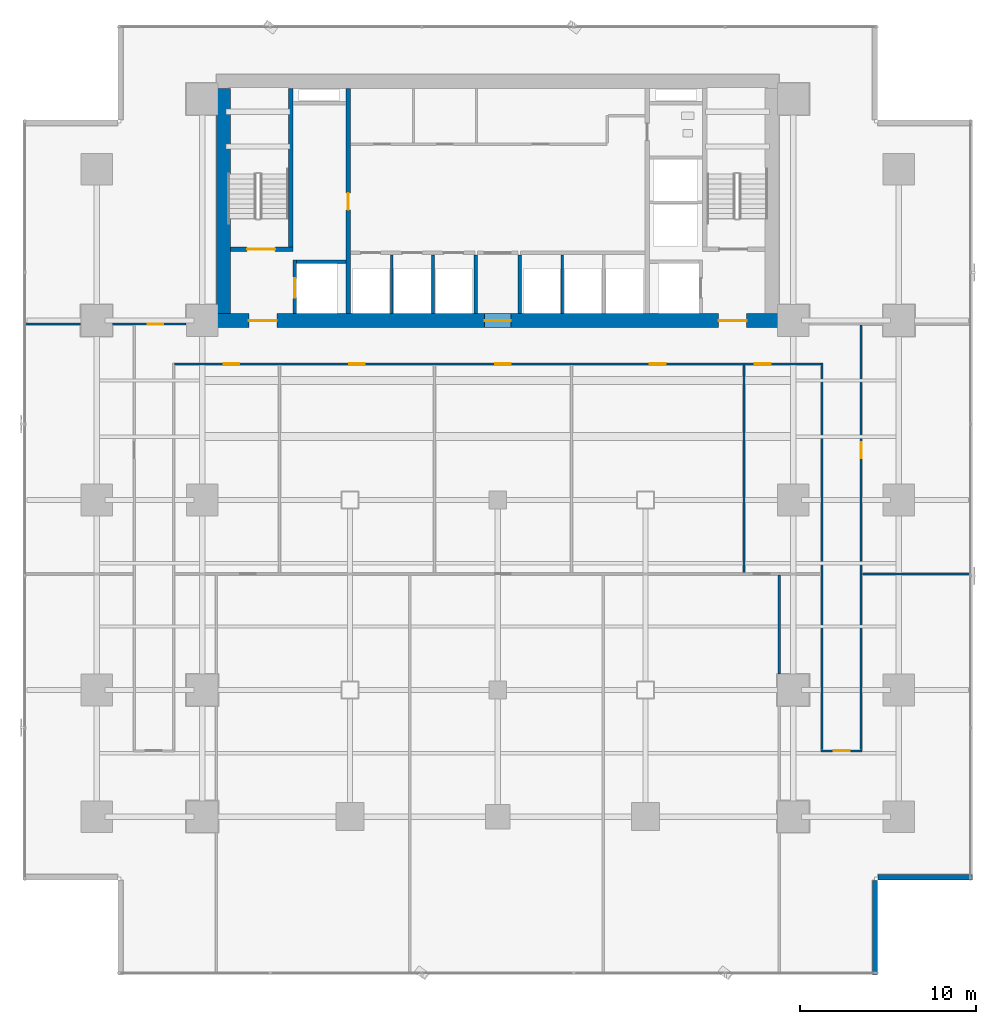
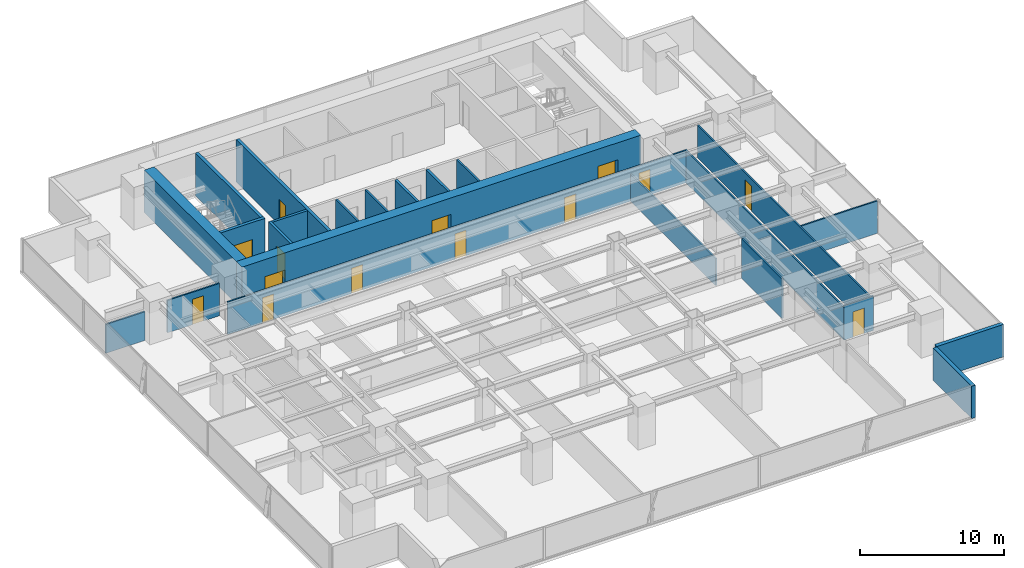
# One storey, part 25 of 33: 23 walls, 14 doors, 14 openings.
"""IFC4 building model written with IfcOpenShell, lengths in metres."""

import ifcopenshell
import ifcopenshell.guid

model = None  # the IFC model being written
_history = None  # IfcOwnerHistory: only IFC2X3 demands one
_inside = {}  # id of a spatial element -> (the spatial element, [elements in it])
_under = {}  # id of a project, library or spatial element -> (it, [spatial elements below it])
_declared = {}  # id of a project -> (the project, [libraries it declares])
_typed = {}  # id of a type object -> (the type object, [elements of that type])
_made_of = {}  # id of a material, layer set ... -> (it, [elements and type objects made of it])


def new_model(schema):
    """Start an empty IFC model of exactly this schema.

    Asked for "IFC4X3", IfcOpenShell would pick the latest addendum, in which some entities
    have other attributes; the version numbers below select the first issue.
    IFC2X3 requires an IfcOwnerHistory on every rooted entity: one is made here for all.
    """
    global model, _history
    if schema == "IFC4X3":
        model = ifcopenshell.file(schema_version=(4, 3, 0, 0))
    else:
        model = ifcopenshell.file(schema=schema)
    _inside.clear()
    _under.clear()
    _declared.clear()
    _typed.clear()
    _made_of.clear()
    _history = None
    if model.schema == "IFC2X3":
        org = make("IfcOrganization", Name="unknown")
        user = make(
            "IfcPersonAndOrganization",
            ThePerson=make("IfcPerson", FamilyName="unknown"),
            TheOrganization=org,
        )
        app = make(
            "IfcApplication",
            ApplicationDeveloper=org,
            Version="unknown",
            ApplicationFullName="unknown",
            ApplicationIdentifier="unknown",
        )
        _history = make(
            "IfcOwnerHistory",
            OwningUser=user,
            OwningApplication=app,
            ChangeAction="ADDED",
            CreationDate=0,
        )
    return model


def make(cls, **values):
    """One entity of the class cls with the attributes given. An attribute that is None is left unset."""
    return model.create_entity(
        cls, **{name: value for name, value in values.items() if value is not None}
    )


def rooted(cls, **values):
    """An entity with a GlobalId (a new one), such as an element, a storey or a relation."""
    return make(cls, GlobalId=ifcopenshell.guid.new(), OwnerHistory=_history, **values)


def si_unit(unit_type, name, prefix=None):
    """IfcSIUnit, for example si_unit("LENGTHUNIT", "METRE", prefix="MILLI")."""
    return make("IfcSIUnit", UnitType=unit_type, Prefix=prefix, Name=name)


def assignment(units):
    """IfcUnitAssignment: the units of a project."""
    return None if units is None else make("IfcUnitAssignment", Units=units)


def point(xyz):
    """IfcCartesianPoint."""
    return None if xyz is None else make("IfcCartesianPoint", Coordinates=xyz)


def direction(xyz):
    """IfcDirection."""
    return None if xyz is None else make("IfcDirection", DirectionRatios=xyz)


def frame(location, z_axis=None, x_axis=None):
    """IfcAxis2Placement3D, a coordinate frame: its origin and axes. An axis left out is left unset."""
    return make(
        "IfcAxis2Placement3D",
        Location=point(location),
        Axis=direction(z_axis),
        RefDirection=direction(x_axis),
    )


def frame_2d(location, x_axis=None):
    """IfcAxis2Placement2D, a coordinate frame in the plane: its origin and x axis."""
    return make(
        "IfcAxis2Placement2D", Location=point(location), RefDirection=direction(x_axis)
    )


def origin():
    """The frame at (0, 0, 0) with its axes left unset."""
    return frame((0.0, 0.0, 0.0))


def place(relative_to, where):
    """IfcLocalPlacement: puts the frame where relative to a parent placement (None: the world)."""
    return make(
        "IfcLocalPlacement", PlacementRelTo=relative_to, RelativePlacement=where
    )


def context(
    kind, dimensions, precision=None, world=None, true_north=None, identifier=None
):
    """IfcGeometricRepresentationContext, for example the 3D "Model" context."""
    return make(
        "IfcGeometricRepresentationContext",
        ContextIdentifier=identifier,
        ContextType=kind,
        CoordinateSpaceDimension=dimensions,
        Precision=precision,
        WorldCoordinateSystem=world,
        TrueNorth=true_north,
    )


def subcontext(parent, identifier, kind, view, scale=None):
    """IfcGeometricRepresentationSubContext, for example "Body" below "Model"."""
    return make(
        "IfcGeometricRepresentationSubContext",
        ContextIdentifier=identifier,
        ContextType=kind,
        ParentContext=parent,
        TargetScale=scale,
        TargetView=view,
    )


def project(units=None, contexts=None):
    """IfcProject with its units and contexts."""
    return rooted(
        "IfcProject",
        Name="project",
        RepresentationContexts=contexts,
        UnitsInContext=assignment(units),
    )


def spatial(cls, under=None, at=None, **own):
    """A site, building, storey or space (cls), placed at a placement, below another one or the project."""
    s = rooted(cls, ObjectPlacement=at, **own)
    if under is not None:
        _under.setdefault(under.id(), (under, []))[1].append(s)
    return s


def profile(cls, at=None, kind="AREA", **sizes):
    """A parametric profile (cls). Its sizes go by their IFC names, for example OverallWidth=200.0."""
    return make(cls, ProfileType=kind, Position=at, **sizes)


def rectangle(**sizes):
    """IfcRectangleProfileDef."""
    return profile("IfcRectangleProfileDef", **sizes)


def extrude(swept, where, along, depth):
    """IfcExtrudedAreaSolid: the profile swept, set in the frame where, extruded along a direction by depth."""
    return make(
        "IfcExtrudedAreaSolid",
        SweptArea=swept,
        Position=where,
        ExtrudedDirection=direction(along),
        Depth=depth,
    )


def shape(context_of_items, identifier, shape_type, items):
    """IfcShapeRepresentation: the items that make up one representation, for example the "Body"."""
    return make(
        "IfcShapeRepresentation",
        ContextOfItems=context_of_items,
        RepresentationIdentifier=identifier,
        RepresentationType=shape_type,
        Items=items,
    )


def source(mapping_origin, context_of_items, identifier, shape_type, items):
    """IfcRepresentationMap: a shape defined once, which mapped items show again and again."""
    return make(
        "IfcRepresentationMap",
        MappingOrigin=mapping_origin,
        MappedRepresentation=shape(context_of_items, identifier, shape_type, items),
    )


def transform(
    local_origin,
    x_axis=None,
    y_axis=None,
    z_axis=None,
    scale=None,
    scale2=None,
    scale3=None,
    uniform=True,
):
    """IfcCartesianTransformationOperator3D, or its non-uniform kind. x_axis, y_axis, z_axis: its Axis1, 2, 3."""
    if uniform:
        return make(
            "IfcCartesianTransformationOperator3D",
            Axis1=direction(x_axis),
            Axis2=direction(y_axis),
            LocalOrigin=point(local_origin),
            Scale=scale,
            Axis3=direction(z_axis),
        )
    return make(
        "IfcCartesianTransformationOperator3DnonUniform",
        Axis1=direction(x_axis),
        Axis2=direction(y_axis),
        LocalOrigin=point(local_origin),
        Scale=scale,
        Axis3=direction(z_axis),
        Scale2=scale2,
        Scale3=scale3,
    )


def mapped(mapping_source, mapping_target):
    """IfcMappedItem: shows the shape of a source again, moved by a transform."""
    return make(
        "IfcMappedItem", MappingSource=mapping_source, MappingTarget=mapping_target
    )


def material(Name=None, Category=None):
    """IfcMaterial."""
    return make("IfcMaterial", Name=Name, Category=Category)


def layer(
    of_material, thickness, ventilated=None, Name=None, Category=None, Priority=None
):
    """IfcMaterialLayer: one layer of a wall or slab, of a material (None: an air gap)."""
    return make(
        "IfcMaterialLayer",
        Material=of_material,
        LayerThickness=thickness,
        IsVentilated=ventilated,
        Name=Name,
        Category=Category,
        Priority=Priority,
    )


def layer_set(layers, Name=None):
    """IfcMaterialLayerSet."""
    return make("IfcMaterialLayerSet", MaterialLayers=layers, LayerSetName=Name)


def made_of(thing, what):
    """Note that an element or type object is made of a material, layer set ...; save() writes the relation."""
    if what is not None:
        _made_of.setdefault(what.id(), (what, []))[1].append(thing)
    return thing


def type_object(cls, material=None, **own):
    """A type object (cls), such as IfcWallType, which elements share."""
    return made_of(rooted(cls, **own), material)


def element(
    cls,
    number,
    at=None,
    inside=None,
    cuts=None,
    type_object=None,
    material=None,
    context=None,
    identifier="Body",
    shape_type=None,
    held_by="IfcProductDefinitionShape",
    body=None,
    shapes=None,
    **own,
):
    """One element of the class cls, such as IfcWall. Its Tag is "e" and its number.

    at: its placement. inside: the storey or other place that contains it. cuts: it is an
    opening in that element (IfcRelVoidsElement). A single representation is given by context,
    identifier, shape_type and body (its items); several are given by shapes. held_by: the class
    of the entity that holds the representations. save() writes the other relations.
    """
    e = rooted(cls, Tag="e%d" % number, ObjectPlacement=at, **own)
    if body is not None:
        shapes = [shape(context, identifier, shape_type, body)]
    if shapes is not None:
        e.Representation = make(held_by, Representations=shapes)
    if inside is not None:
        _inside.setdefault(inside.id(), (inside, []))[1].append(e)
    if cuts is not None:
        rooted(
            "IfcRelVoidsElement", RelatingBuildingElement=cuts, RelatedOpeningElement=e
        )
    if type_object is not None:
        _typed.setdefault(type_object.id(), (type_object, []))[1].append(e)
    return made_of(e, material)


def fill(opening, filler):
    """IfcRelFillsElement: the door or window that sits in an opening."""
    return rooted(
        "IfcRelFillsElement",
        RelatingOpeningElement=opening,
        RelatedBuildingElement=filler,
    )


def aggregate(whole, parts):
    """IfcRelAggregates: a whole, such as a stair, and the parts it consists of."""
    return rooted("IfcRelAggregates", RelatingObject=whole, RelatedObjects=parts)


def save(model, path):
    """Write the relations noted so far, then the file.

    IfcRelAggregates (storeys below a building ...), IfcRelContainedInSpatialStructure (elements
    in a storey), IfcRelDefinesByType, IfcRelAssociatesMaterial and IfcRelDeclares: one each for
    every whole, place, type object, material and project.
    """
    for whole, parts in _under.values():
        aggregate(whole, parts)
    for where, things in _inside.values():
        rooted(
            "IfcRelContainedInSpatialStructure",
            RelatedElements=things,
            RelatingStructure=where,
        )
    for kind, things in _typed.values():
        rooted("IfcRelDefinesByType", RelatedObjects=things, RelatingType=kind)
    for what, things in _made_of.values():
        rooted("IfcRelAssociatesMaterial", RelatedObjects=things, RelatingMaterial=what)
    for by, libraries in _declared.values():
        rooted("IfcRelDeclares", RelatingContext=by, RelatedDefinitions=libraries)
    model.write(path)


model = new_model("IFC4")

# Units and contexts
model_context = context("Model", 3, precision=1e-05, world=origin(), true_north=direction((0.0, 1.0)))
body_context = subcontext(model_context, "Body", "Model", "MODEL_VIEW")
ifc_project = project(units=[si_unit("LENGTHUNIT", "METRE"), si_unit("AREAUNIT", "SQUARE_METRE"), si_unit("VOLUMEUNIT", "CUBIC_METRE"), si_unit("PLANEANGLEUNIT", "RADIAN"), si_unit("MASSUNIT", "GRAM", prefix="KILO")], contexts=[model_context])

# Site, building, storey
site_placement = place(None, origin())
site = spatial("IfcSite", under=ifc_project, at=site_placement, CompositionType="ELEMENT")
building_placement = place(site_placement, origin())
building = spatial("IfcBuilding", under=site, at=building_placement, Name="Sumidabori Civic Tower", CompositionType="ELEMENT")
storey_placement = place(building_placement, frame((0.0, 0.0, 27.199951171875)))
storey = spatial("IfcBuildingStorey", under=building, at=storey_placement, Name="L06", CompositionType="ELEMENT", Elevation=27.199951171875)

# Wall, openings, doors
ifc_material_1 = material(Name="Concrete C60/75", Category="concrete")
ifc_layer_1 = layer(ifc_material_1, 0.800048828125, Name="Concrete C60/75")
ifc_layer_set_1 = layer_set([ifc_layer_1], Name="Concrete C60/75")
wall_type_1 = type_object("IfcWallType", Name="WL-CORE-800", PredefinedType="SHEAR", material=ifc_layer_set_1)
shared_shape_1 = source(origin(), body_context, "Body", "SweptSolid", [
    extrude(rectangle(XDim=32.0, YDim=0.800048828125, at=frame_2d((16.0, 0.0))), origin(), (0.0, 0.0, 1.0), 3.60009765625),
])
wall_1_placement = place(storey_placement, frame((-16.0, 10.199951171875, 0.0), z_axis=(0.0, 0.0, 1.0), x_axis=(1.0, 0.0, 0.0)))
wall_1 = element("IfcWall", 1, at=wall_1_placement, inside=storey, type_object=wall_type_1, Name="Core Shear Wall L06 S", PredefinedType="SHEAR", context=body_context, shape_type="MappedRepresentation", body=[
    mapped(shared_shape_1, transform((0.0, 0.0, 0.0), x_axis=(1.0, 0.0, 0.0), y_axis=(0.0, 1.0, 0.0), z_axis=(0.0, 0.0, 1.0), scale=1.0)),
])
opening_1_placement = place(wall_1_placement, frame((1.85009765625, 0.0, 0.0)))
opening_1 = element("IfcOpeningElement", 2, at=opening_1_placement, cuts=wall_1, Name="Opening DR-FD4", PredefinedType="OPENING", context=body_context, shape_type="SweptSolid", body=[
    extrude(rectangle(XDim=1.60009765625, YDim=2.14990234375, at=frame_2d((0.800048828125, 1.074951171875))), frame((0.0, 0.412109375, 0.0), z_axis=(0.0, -1.0, 0.0), x_axis=(1.0, 0.0, 0.0)), (0.0, 0.0, 1.0), 0.823974609375),
])
opening_2_placement = place(wall_1_placement, frame((28.550048828125, 0.0, 0.0)))
opening_2 = element("IfcOpeningElement", 3, at=opening_2_placement, cuts=wall_1, Name="Opening DR-FD4", PredefinedType="OPENING", context=body_context, shape_type="SweptSolid", body=[
    extrude(rectangle(XDim=1.60009765625, YDim=2.14990234375, at=frame_2d((0.800048828125, 1.074951171875))), frame((0.0, 0.412109375, 0.0), z_axis=(0.0, -1.0, 0.0), x_axis=(1.0, 0.0, 0.0)), (0.0, 0.0, 1.0), 0.823974609375),
])
opening_3_placement = place(wall_1_placement, frame((15.25, 0.0, 0.0)))
opening_3 = element("IfcOpeningElement", 4, at=opening_3_placement, cuts=wall_1, Name="Opening DR-FD3", PredefinedType="OPENING", context=body_context, shape_type="SweptSolid", body=[
    extrude(rectangle(XDim=1.5, YDim=2.199951171875, at=frame_2d((0.75, 1.10009765625))), frame((0.0, 0.412109375, 0.0), z_axis=(0.0, -1.0, 0.0), x_axis=(1.0, 0.0, 0.0)), (0.0, 0.0, 1.0), 0.823974609375),
])
ifc_material_2 = material(Name="Steel SN490", Category="steel")
door_type_1 = type_object("IfcDoorType", Name="DR-FD4", OperationType="DOUBLE_DOOR_SINGLE_SWING", PredefinedType="DOOR", material=ifc_material_2)
shared_shape_2 = source(origin(), body_context, "Body", "SweptSolid", [
    extrude(rectangle(XDim=1.60009765625, YDim=2.14990234375, at=frame_2d((0.800048828125, 1.074951171875))), frame((0.0, 0.02490234375, 0.0), z_axis=(0.0, -1.0, 0.0), x_axis=(1.0, 0.0, 0.0)), (0.0, 0.0, 1.0), 0.050048828125),
])
door_1_placement = place(opening_1_placement, origin())
door_1 = element("IfcDoor", 5, at=door_1_placement, inside=storey, type_object=door_type_1, Name="Door DR:L06:ELOB-W", OperationType="DOUBLE_DOOR_SINGLE_SWING", OverallHeight=2.14990234375, OverallWidth=1.60009765625, PredefinedType="DOOR", context=body_context, shape_type="MappedRepresentation", body=[
    mapped(shared_shape_2, transform((0.0, 0.0, 0.0), x_axis=(1.0, 0.0, 0.0), y_axis=(0.0, 1.0, 0.0), z_axis=(0.0, 0.0, 1.0), scale=1.0)),
])
fill(opening_1, door_1)
door_2_placement = place(opening_2_placement, origin())
door_2 = element("IfcDoor", 6, at=door_2_placement, inside=storey, type_object=door_type_1, Name="Door DR:L06:ELOB-E", OperationType="DOUBLE_DOOR_SINGLE_SWING", OverallHeight=2.14990234375, OverallWidth=1.60009765625, PredefinedType="DOOR", context=body_context, shape_type="MappedRepresentation", body=[
    mapped(shared_shape_2, transform((0.0, 0.0, 0.0), x_axis=(1.0, 0.0, 0.0), y_axis=(0.0, 1.0, 0.0), z_axis=(0.0, 0.0, 1.0), scale=1.0)),
])
fill(opening_2, door_2)
door_type_2 = type_object("IfcDoorType", Name="DR-FD-DBL", OperationType="DOUBLE_DOOR_SINGLE_SWING", PredefinedType="DOOR", material=ifc_material_2)
shared_shape_3 = source(origin(), body_context, "Body", "SweptSolid", [
    extrude(rectangle(XDim=1.5, YDim=2.199951171875, at=frame_2d((0.75, 1.10009765625))), frame((0.0, 0.02490234375, 0.0), z_axis=(0.0, -1.0, 0.0), x_axis=(1.0, 0.0, 0.0)), (0.0, 0.0, 1.0), 0.050048828125),
])
door_3_placement = place(opening_3_placement, origin())
door_3 = element("IfcDoor", 7, at=door_3_placement, inside=storey, type_object=door_type_2, Name="Door DR:L06:THROAT-OUT", OperationType="DOUBLE_DOOR_SINGLE_SWING", OverallHeight=2.199951171875, OverallWidth=1.5, PredefinedType="DOOR", context=body_context, shape_type="MappedRepresentation", body=[
    mapped(shared_shape_3, transform((0.0, 0.0, 0.0), x_axis=(1.0, 0.0, 0.0), y_axis=(0.0, 1.0, 0.0), z_axis=(0.0, 0.0, 1.0), scale=1.0)),
])
fill(opening_3, door_3)

# Wall
shared_shape_4 = source(origin(), body_context, "Body", "SweptSolid", [
    extrude(rectangle(XDim=12.7998046875, YDim=0.800048828125, at=frame_2d((6.39990234375, 0.0))), origin(), (0.0, 0.0, 1.0), 3.60009765625),
])
wall_2_placement = place(storey_placement, frame((-15.60009765625, 10.60009765625, 0.0), z_axis=(0.0, 0.0, 1.0), x_axis=(0.0, 1.0, 0.0)))
element("IfcWall", 8, at=wall_2_placement, inside=storey, type_object=wall_type_1, Name="Core Shear Wall L06 W", PredefinedType="SHEAR", context=body_context, shape_type="MappedRepresentation", body=[
    mapped(shared_shape_4, transform((0.0, 0.0, 0.0), x_axis=(1.0, 0.0, 0.0), y_axis=(0.0, 1.0, 0.0), z_axis=(0.0, 0.0, 1.0), scale=1.0)),
])

# Wall, opening, door
ifc_material_3 = material(Name="Concrete C50/60", Category="concrete")
ifc_layer_2 = layer(ifc_material_3, 0.25, Name="Concrete C50/60")
ifc_layer_set_2 = layer_set([ifc_layer_2], Name="Concrete C50/60")
wall_type_2 = type_object("IfcWallType", Name="WL-SHAFT-250", PredefinedType="SHEAR", material=ifc_layer_set_2)
shared_shape_5 = source(origin(), body_context, "Body", "SweptSolid", [
    extrude(rectangle(XDim=12.7998046875, YDim=0.25, at=frame_2d((6.39990234375, 0.0))), origin(), (0.0, 0.0, 1.0), 3.60009765625),
])
wall_3_placement = place(storey_placement, frame((-8.5, 10.60009765625, 0.0), z_axis=(0.0, 0.0, 1.0), x_axis=(0.0, 1.0, 0.0)))
wall_3 = element("IfcWall", 9, at=wall_3_placement, inside=storey, type_object=wall_type_2, Name="Core Shear Wall L06 WEB-W", PredefinedType="SHEAR", context=body_context, shape_type="MappedRepresentation", body=[
    mapped(shared_shape_5, transform((0.0, 0.0, 0.0), x_axis=(1.0, 0.0, 0.0), y_axis=(0.0, 1.0, 0.0), z_axis=(0.0, 0.0, 1.0), scale=1.0)),
])
opening_4_placement = place(wall_3_placement, frame((5.89990234375, 0.0, 0.0)))
opening_4 = element("IfcOpeningElement", 10, at=opening_4_placement, cuts=wall_3, Name="Opening DR-FD2", PredefinedType="OPENING", context=body_context, shape_type="SweptSolid", body=[
    extrude(rectangle(XDim=0.949951171875, YDim=2.14990234375, at=frame_2d((0.47509765625, 1.074951171875))), frame((0.0, 0.136962890625, 0.0), z_axis=(0.0, -1.0, 0.0), x_axis=(1.0, 0.0, 0.0)), (0.0, 0.0, 1.0), 0.27392578125),
])
door_type_3 = type_object("IfcDoorType", Name="DR-FD2", OperationType="NOTDEFINED", PredefinedType="DOOR", material=ifc_material_2)
shared_shape_6 = source(origin(), body_context, "Body", "SweptSolid", [
    extrude(rectangle(XDim=0.949951171875, YDim=2.14990234375, at=frame_2d((0.47509765625, 1.074951171875))), frame((0.0, 0.02490234375, 0.0), z_axis=(0.0, -1.0, 0.0), x_axis=(1.0, 0.0, 0.0)), (0.0, 0.0, 1.0), 0.050048828125),
])
door_4_placement = place(opening_4_placement, origin())
door_4 = element("IfcDoor", 11, at=door_4_placement, inside=storey, type_object=door_type_3, Name="Door DR:L06:CW-STR", OperationType="SINGLE_SWING_LEFT", OverallHeight=2.14990234375, OverallWidth=0.949951171875, PredefinedType="DOOR", context=body_context, shape_type="MappedRepresentation", body=[
    mapped(shared_shape_6, transform((0.0, 0.0, 0.0), x_axis=(1.0, 0.0, 0.0), y_axis=(0.0, 1.0, 0.0), z_axis=(0.0, 0.0, 1.0), scale=1.0)),
])
fill(opening_4, door_4)

shared_shape_7 = source(origin(), body_context, "Body", "SweptSolid", [
    extrude(rectangle(XDim=3.554931640625, YDim=0.25, at=frame_2d((1.77734375, 0.0))), origin(), (0.0, 0.0, 1.0), 3.60009765625),
])
wall_4_placement = place(storey_placement, frame((-15.199951171875, 14.25, 0.0), z_axis=(0.0, 0.0, 1.0), x_axis=(1.0, 0.0, 0.0)))
wall_4 = element("IfcWall", 12, at=wall_4_placement, inside=storey, type_object=wall_type_2, Name="Core Shear Wall L06 ST1-S", PredefinedType="SHEAR", context=body_context, shape_type="MappedRepresentation", body=[
    mapped(shared_shape_7, transform((0.0, 0.0, 0.0), x_axis=(1.0, 0.0, 0.0), y_axis=(0.0, 1.0, 0.0), z_axis=(0.0, 0.0, 1.0), scale=1.0)),
])
opening_5_placement = place(wall_4_placement, frame((0.949951171875, 0.0, 0.0)))
opening_5 = element("IfcOpeningElement", 13, at=opening_5_placement, cuts=wall_4, Name="Opening DR-FD4", PredefinedType="OPENING", context=body_context, shape_type="SweptSolid", body=[
    extrude(rectangle(XDim=1.60009765625, YDim=2.14990234375, at=frame_2d((0.800048828125, 1.074951171875))), frame((0.0, 0.136962890625, 0.0), z_axis=(0.0, -1.0, 0.0), x_axis=(1.0, 0.0, 0.0)), (0.0, 0.0, 1.0), 0.27392578125),
])
door_5_placement = place(opening_5_placement, origin())
door_5 = element("IfcDoor", 14, at=door_5_placement, inside=storey, type_object=door_type_1, Name="Door DR:L06:ST1", OperationType="DOUBLE_DOOR_SINGLE_SWING", OverallHeight=2.14990234375, OverallWidth=1.60009765625, PredefinedType="DOOR", context=body_context, shape_type="MappedRepresentation", body=[
    mapped(shared_shape_2, transform((0.0, 0.0, 0.0), x_axis=(1.0, 0.0, 0.0), y_axis=(0.0, 1.0, 0.0), z_axis=(0.0, 0.0, 1.0), scale=1.0)),
])
fill(opening_5, door_5)

# Wall
shared_shape_8 = source(origin(), body_context, "Body", "SweptSolid", [
    extrude(rectangle(XDim=9.02490234375, YDim=0.25, at=frame_2d((4.512451171875, 0.0))), origin(), (0.0, 0.0, 1.0), 3.60009765625),
])
wall_5_placement = place(storey_placement, frame((-11.77001953125, 14.375, 0.0), z_axis=(0.0, 0.0, 1.0), x_axis=(0.0, 1.0, 0.0)))
element("IfcWall", 15, at=wall_5_placement, inside=storey, type_object=wall_type_2, Name="Core Shear Wall L06 ST1-E", PredefinedType="SHEAR", context=body_context, shape_type="MappedRepresentation", body=[
    mapped(shared_shape_8, transform((0.0, 0.0, 0.0), x_axis=(1.0, 0.0, 0.0), y_axis=(0.0, 1.0, 0.0), z_axis=(0.0, 0.0, 1.0), scale=1.0)),
])

# Wall, opening, door
ifc_layer_3 = layer(ifc_material_3, 0.199951171875, Name="Concrete C50/60")
ifc_layer_set_3 = layer_set([ifc_layer_3], Name="Concrete C50/60")
wall_type_3 = type_object("IfcWallType", Name="WL-SHAFT-200", PredefinedType="SHEAR", material=ifc_layer_set_3)
shared_shape_9 = source(origin(), body_context, "Body", "SweptSolid", [
    extrude(rectangle(XDim=3.0498046875, YDim=0.199951171875, at=frame_2d((1.52490234375, 0.0))), origin(), (0.0, 0.0, 1.0), 3.60009765625),
])
wall_6_placement = place(storey_placement, frame((-11.550048828125, 10.60009765625, 0.0), z_axis=(0.0, 0.0, 1.0), x_axis=(0.0, 1.0, 0.0)))
wall_6 = element("IfcWall", 16, at=wall_6_placement, inside=storey, type_object=wall_type_3, Name="Core Shear Wall L06 EL1-W", PredefinedType="SHEAR", context=body_context, shape_type="MappedRepresentation", body=[
    mapped(shared_shape_9, transform((0.0, 0.0, 0.0), x_axis=(1.0, 0.0, 0.0), y_axis=(0.0, 1.0, 0.0), z_axis=(0.0, 0.0, 1.0), scale=1.0)),
])
opening_6_placement = place(wall_6_placement, frame((0.89990234375, 0.0, 0.0)))
opening_6 = element("IfcOpeningElement", 17, at=opening_6_placement, cuts=wall_6, Name="Opening LD-2", PredefinedType="OPENING", context=body_context, shape_type="SweptSolid", body=[
    extrude(rectangle(XDim=1.10009765625, YDim=2.14990234375, at=frame_2d((0.550048828125, 1.074951171875))), frame((0.0, 0.11181640625, 0.0), z_axis=(0.0, -1.0, 0.0), x_axis=(1.0, 0.0, 0.0)), (0.0, 0.0, 1.0), 0.223876953125),
])
ifc_material_4 = material(Name="Stainless Steel Hairline Finish", Category="steel")
door_type_4 = type_object("IfcDoorType", Name="DR-LD2", OperationType="DOUBLE_DOOR_SLIDING", PredefinedType="DOOR", material=ifc_material_4)
shared_shape_10 = source(origin(), body_context, "Body", "SweptSolid", [
    extrude(rectangle(XDim=1.10009765625, YDim=2.14990234375, at=frame_2d((0.550048828125, 1.074951171875))), frame((0.0, 0.02490234375, 0.0), z_axis=(0.0, -1.0, 0.0), x_axis=(1.0, 0.0, 0.0)), (0.0, 0.0, 1.0), 0.050048828125),
])
door_6_placement = place(opening_6_placement, origin())
door_6 = element("IfcDoor", 18, at=door_6_placement, inside=storey, type_object=door_type_4, Name="Door DR:L06:LD-EL1", OperationType="DOUBLE_DOOR_SLIDING", OverallHeight=2.14990234375, OverallWidth=1.10009765625, PredefinedType="DOOR", context=body_context, shape_type="MappedRepresentation", body=[
    mapped(shared_shape_10, transform((0.0, 0.0, 0.0), x_axis=(1.0, 0.0, 0.0), y_axis=(0.0, 1.0, 0.0), z_axis=(0.0, 0.0, 1.0), scale=1.0)),
])
fill(opening_6, door_6)

# Walls
shared_shape_11 = source(origin(), body_context, "Body", "SweptSolid", [
    extrude(rectangle(XDim=2.824951171875, YDim=0.199951171875, at=frame_2d((1.41259765625, 0.0))), origin(), (0.0, 0.0, 1.0), 3.60009765625),
])
wall_7_placement = place(storey_placement, frame((-11.449951171875, 13.550048828125, 0.0), z_axis=(0.0, 0.0, 1.0), x_axis=(1.0, 0.0, 0.0)))
element("IfcWall", 19, at=wall_7_placement, inside=storey, type_object=wall_type_3, Name="Core Shear Wall L06 EL1-N", PredefinedType="SHEAR", context=body_context, shape_type="MappedRepresentation", body=[
    mapped(shared_shape_11, transform((0.0, 0.0, 0.0), x_axis=(1.0, 0.0, 0.0), y_axis=(0.0, 1.0, 0.0), z_axis=(0.0, 0.0, 1.0), scale=1.0)),
])
ifc_material_5 = material(Name="Precast concrete C40/50", Category="concrete")
ifc_layer_4 = layer(ifc_material_5, 0.300048828125, Name="Precast concrete C40/50")
ifc_layer_set_4 = layer_set([ifc_layer_4], Name="Precast concrete C40/50")
wall_type_4 = type_object("IfcWallType", Name="WL-EXT-POD300", PredefinedType="STANDARD", material=ifc_layer_set_4)
shared_shape_12 = source(origin(), body_context, "Body", "SweptSolid", [
    extrude(rectangle(XDim=5.35986328125, YDim=0.300048828125, at=frame_2d((2.679931640625, 0.0))), origin(), (0.0, 0.0, 1.0), 2.739990234375),
])
for number, where, z_axis, x_axis, name in (
    (20, (21.449951171875, -26.97998046875, 0.0), (0.0, 0.0, 1.0), (0.0, 1.0, 0.0), "Notched Corner Spandrel Band L06-02"),
    (21, (21.6201171875, -21.449951171875, 0.0), (0.0, 0.0, 1.0), (1.0, 0.0, 0.0), "Notched Corner Spandrel Band L06-03"),
):
    element("IfcWall", number, at=place(storey_placement, frame(where, z_axis=z_axis, x_axis=x_axis)), inside=storey, type_object=wall_type_4, Name=name, PredefinedType="STANDARD", context=body_context, shape_type="MappedRepresentation", body=[
        mapped(shared_shape_12, transform((0.0, 0.0, 0.0), x_axis=(1.0, 0.0, 0.0), y_axis=(0.0, 1.0, 0.0), z_axis=(0.0, 0.0, 1.0), scale=1.0)),
    ])
ifc_material_6 = material(Name="Gypsum Plasterboard Fire Partition")
ifc_layer_5 = layer(ifc_material_6, 0.199951171875, Name="Gypsum Plasterboard Fire Partition")
ifc_layer_set_5 = layer_set([ifc_layer_5], Name="Gypsum Plasterboard Fire Partition")
wall_type_5 = type_object("IfcWallType", Name="WL-PART-FIRE", PredefinedType="PARTITIONING", material=ifc_layer_set_5)
shared_shape_13 = source(origin(), body_context, "Body", "SweptSolid", [
    extrude(rectangle(XDim=3.33984375, YDim=0.199951171875, at=frame_2d((1.669921875, 0.0))), origin(), (0.0, 0.0, 1.0), 3.360107421875),
])
for number, where, z_axis, x_axis, name in (
    (22, (-1.25, 10.60009765625, 0.0), (0.0, 0.0, 1.0), (0.0, 1.0, 0.0), "Interior Partition WL:L06:THROAT-W"),
    (23, (1.25, 10.60009765625, 0.0), (0.0, 0.0, 1.0), (0.0, 1.0, 0.0), "Interior Partition WL:L06:THROAT-E"),
):
    element("IfcWall", number, at=place(storey_placement, frame(where, z_axis=z_axis, x_axis=x_axis)), inside=storey, type_object=wall_type_5, Name=name, PredefinedType="PARTITIONING", context=body_context, shape_type="MappedRepresentation", body=[
        mapped(shared_shape_13, transform((0.0, 0.0, 0.0), x_axis=(1.0, 0.0, 0.0), y_axis=(0.0, 1.0, 0.0), z_axis=(0.0, 0.0, 1.0), scale=1.0)),
    ])
ifc_material_7 = material(Name="Gypsum Plasterboard Acoustic Partition")
ifc_layer_6 = layer(ifc_material_7, 0.14990234375, Name="Gypsum Plasterboard Acoustic Partition")
ifc_layer_set_6 = layer_set([ifc_layer_6], Name="Gypsum Plasterboard Acoustic Partition")
wall_type_6 = type_object("IfcWallType", Name="WL-PART-150", PredefinedType="PARTITIONING", material=ifc_layer_set_6)
shared_shape_14 = source(origin(), body_context, "Body", "SweptSolid", [
    extrude(rectangle(XDim=3.33984375, YDim=0.14990234375, at=frame_2d((1.669921875, 0.0))), origin(), (0.0, 0.0, 1.0), 3.360107421875),
])
for number, where, z_axis, x_axis, name in (
    (24, (-6.030029296875, 10.60009765625, 0.0), (0.0, 0.0, 1.0), (0.0, 1.0, 0.0), "Interior Partition WL:L06:DIV-PLL1"),
    (25, (-3.679931640625, 10.60009765625, 0.0), (0.0, 0.0, 1.0), (0.0, 1.0, 0.0), "Interior Partition WL:L06:DIV-PLL2"),
    (26, (3.669921875, 10.60009765625, 0.0), (0.0, 0.0, 1.0), (0.0, 1.0, 0.0), "Interior Partition WL:L06:DIV-PLM1"),
):
    element("IfcWall", number, at=place(storey_placement, frame(where, z_axis=z_axis, x_axis=x_axis)), inside=storey, type_object=wall_type_6, Name=name, PredefinedType="PARTITIONING", context=body_context, shape_type="MappedRepresentation", body=[
        mapped(shared_shape_14, transform((0.0, 0.0, 0.0), x_axis=(1.0, 0.0, 0.0), y_axis=(0.0, 1.0, 0.0), z_axis=(0.0, 0.0, 1.0), scale=1.0)),
    ])
ifc_layer_7 = layer(ifc_material_7, 0.1201171875, Name="Gypsum Plasterboard Acoustic Partition")
ifc_layer_set_7 = layer_set([ifc_layer_7], Name="Gypsum Plasterboard Acoustic Partition")
wall_type_7 = type_object("IfcWallType", Name="WL-PART-120", PredefinedType="PARTITIONING", material=ifc_layer_set_7)
shared_shape_15 = source(origin(), body_context, "Body", "SweptSolid", [
    extrude(rectangle(XDim=3.14013671875, YDim=0.1201171875, at=frame_2d((1.570068359375, 0.0))), origin(), (0.0, 0.0, 1.0), 2.43505859375),
])
wall_8_placement = place(storey_placement, frame((-26.85009765625, 10.0, 0.0), z_axis=(0.0, 0.0, 1.0), x_axis=(1.0, 0.0, 0.0)))
element("IfcWall", 27, at=wall_8_placement, inside=storey, type_object=wall_type_7, Name="Interior Partition WL:L06:FLK-NW-1", PredefinedType="PARTITIONING", context=body_context, shape_type="MappedRepresentation", body=[
    mapped(shared_shape_15, transform((0.0, 0.0, 0.0), x_axis=(1.0, 0.0, 0.0), y_axis=(0.0, 1.0, 0.0), z_axis=(0.0, 0.0, 1.0), scale=1.0)),
])

# Wall, opening, door
shared_shape_16 = source(origin(), body_context, "Body", "SweptSolid", [
    extrude(rectangle(XDim=4.179931640625, YDim=0.1201171875, at=frame_2d((2.08984375, 0.0))), origin(), (0.0, 0.0, 1.0), 2.7451171875),
])
wall_9_placement = place(storey_placement, frame((-21.889892578125, 10.0, 0.0), z_axis=(0.0, 0.0, 1.0), x_axis=(1.0, 0.0, 0.0)))
wall_9 = element("IfcWall", 28, at=wall_9_placement, inside=storey, type_object=wall_type_7, Name="Interior Partition WL:L06:FLK-NW-2", PredefinedType="PARTITIONING", context=body_context, shape_type="MappedRepresentation", body=[
    mapped(shared_shape_16, transform((0.0, 0.0, 0.0), x_axis=(1.0, 0.0, 0.0), y_axis=(0.0, 1.0, 0.0), z_axis=(0.0, 0.0, 1.0), scale=1.0)),
])
opening_7_placement = place(wall_9_placement, frame((1.985107421875, 0.0, 0.0)))
opening_7 = element("IfcOpeningElement", 29, at=opening_7_placement, cuts=wall_9, Name="Opening DR-1", PredefinedType="OPENING", context=body_context, shape_type="SweptSolid", body=[
    extrude(rectangle(XDim=0.89990234375, YDim=2.14990234375, at=frame_2d((0.449951171875, 1.074951171875))), frame((0.0, 0.072021484375, 0.0), z_axis=(0.0, -1.0, 0.0), x_axis=(1.0, 0.0, 0.0)), (0.0, 0.0, 1.0), 0.14404296875),
])
ifc_material_8 = material(Name="Japanese Hinoki Timber", Category="wood")
door_type_5 = type_object("IfcDoorType", Name="DR-INT-900", OperationType="NOTDEFINED", PredefinedType="DOOR", material=ifc_material_8)
shared_shape_17 = source(origin(), body_context, "Body", "SweptSolid", [
    extrude(rectangle(XDim=0.89990234375, YDim=2.14990234375, at=frame_2d((0.449951171875, 1.074951171875))), frame((0.0, 0.02490234375, 0.0), z_axis=(0.0, -1.0, 0.0), x_axis=(1.0, 0.0, 0.0)), (0.0, 0.0, 1.0), 0.050048828125),
])
door_7_placement = place(opening_7_placement, origin())
door_7 = element("IfcDoor", 30, at=door_7_placement, inside=storey, type_object=door_type_5, Name="Door DR:L06:FLK-NE", OperationType="SINGLE_SWING_LEFT", OverallHeight=2.14990234375, OverallWidth=0.89990234375, PredefinedType="DOOR", context=body_context, shape_type="MappedRepresentation", body=[
    mapped(shared_shape_17, transform((0.0, 0.0, 0.0), x_axis=(1.0, 0.0, 0.0), y_axis=(0.0, 1.0, 0.0), z_axis=(0.0, 0.0, 1.0), scale=1.0)),
])
fill(opening_7, door_7)

# Wall, openings, doors
shared_shape_18 = source(origin(), body_context, "Body", "SweptSolid", [
    extrude(rectangle(XDim=36.759765625, YDim=0.1201171875, at=frame_2d((18.3798828125, 0.0))), origin(), (0.0, 0.0, 1.0), 2.7451171875),
])
wall_10_placement = place(storey_placement, frame((-18.3798828125, 7.739990234375, 0.0), z_axis=(0.0, 0.0, 1.0), x_axis=(1.0, 0.0, 0.0)))
wall_10 = element("IfcWall", 31, at=wall_10_placement, inside=storey, type_object=wall_type_7, Name="Interior Partition WL:L06:CORR-S", PredefinedType="PARTITIONING", context=body_context, shape_type="MappedRepresentation", body=[
    mapped(shared_shape_18, transform((0.0, 0.0, 0.0), x_axis=(1.0, 0.0, 0.0), y_axis=(0.0, 1.0, 0.0), z_axis=(0.0, 0.0, 1.0), scale=1.0)),
])
opening_8_placement = place(wall_10_placement, frame((2.7900390625, 0.0, 0.0)))
opening_8 = element("IfcOpeningElement", 32, at=opening_8_placement, cuts=wall_10, Name="Opening DR-1", PredefinedType="OPENING", context=body_context, shape_type="SweptSolid", body=[
    extrude(rectangle(XDim=0.89990234375, YDim=2.14990234375, at=frame_2d((0.449951171875, 1.074951171875))), frame((0.0, 0.072021484375, 0.0), z_axis=(0.0, -1.0, 0.0), x_axis=(1.0, 0.0, 0.0)), (0.0, 0.0, 1.0), 0.14404296875),
])
opening_9_placement = place(wall_10_placement, frame((32.989990234375, 0.0, 0.0)))
opening_9 = element("IfcOpeningElement", 33, at=opening_9_placement, cuts=wall_10, Name="Opening DR-1", PredefinedType="OPENING", context=body_context, shape_type="SweptSolid", body=[
    extrude(rectangle(XDim=0.89990234375, YDim=2.14990234375, at=frame_2d((0.449951171875, 1.074951171875))), frame((0.0, 0.072021484375, 0.0), z_axis=(0.0, -1.0, 0.0), x_axis=(1.0, 0.0, 0.0)), (0.0, 0.0, 1.0), 0.14404296875),
])
opening_10_placement = place(wall_10_placement, frame((9.929931640625, 0.0, 0.0)))
opening_10 = element("IfcOpeningElement", 34, at=opening_10_placement, cuts=wall_10, Name="Opening DR-1", PredefinedType="OPENING", context=body_context, shape_type="SweptSolid", body=[
    extrude(rectangle(XDim=0.89990234375, YDim=2.14990234375, at=frame_2d((0.449951171875, 1.074951171875))), frame((0.0, 0.072021484375, 0.0), z_axis=(0.0, -1.0, 0.0), x_axis=(1.0, 0.0, 0.0)), (0.0, 0.0, 1.0), 0.14404296875),
])
opening_11_placement = place(wall_10_placement, frame((18.22998046875, 0.0, 0.0)))
opening_11 = element("IfcOpeningElement", 35, at=opening_11_placement, cuts=wall_10, Name="Opening DR-1", PredefinedType="OPENING", context=body_context, shape_type="SweptSolid", body=[
    extrude(rectangle(XDim=0.89990234375, YDim=2.14990234375, at=frame_2d((0.449951171875, 1.074951171875))), frame((0.0, 0.072021484375, 0.0), z_axis=(0.0, -1.0, 0.0), x_axis=(1.0, 0.0, 0.0)), (0.0, 0.0, 1.0), 0.14404296875),
])
opening_12_placement = place(wall_10_placement, frame((27.030029296875, 0.0, 0.0)))
opening_12 = element("IfcOpeningElement", 36, at=opening_12_placement, cuts=wall_10, Name="Opening DR-1", PredefinedType="OPENING", context=body_context, shape_type="SweptSolid", body=[
    extrude(rectangle(XDim=0.89990234375, YDim=2.14990234375, at=frame_2d((0.449951171875, 1.074951171875))), frame((0.0, 0.072021484375, 0.0), z_axis=(0.0, -1.0, 0.0), x_axis=(1.0, 0.0, 0.0)), (0.0, 0.0, 1.0), 0.14404296875),
])
door_8_placement = place(opening_8_placement, origin())
door_8 = element("IfcDoor", 37, at=door_8_placement, inside=storey, type_object=door_type_5, Name="Door DR:L06:D04", OperationType="SINGLE_SWING_RIGHT", OverallHeight=2.14990234375, OverallWidth=0.89990234375, PredefinedType="DOOR", context=body_context, shape_type="MappedRepresentation", body=[
    mapped(shared_shape_17, transform((0.0, 0.0, 0.0), x_axis=(1.0, 0.0, 0.0), y_axis=(0.0, 1.0, 0.0), z_axis=(0.0, 0.0, 1.0), scale=1.0)),
])
fill(opening_8, door_8)
door_9_placement = place(opening_9_placement, origin())
door_9 = element("IfcDoor", 38, at=door_9_placement, inside=storey, type_object=door_type_5, Name="Door DR:L06:D05", OperationType="SINGLE_SWING_LEFT", OverallHeight=2.14990234375, OverallWidth=0.89990234375, PredefinedType="DOOR", context=body_context, shape_type="MappedRepresentation", body=[
    mapped(shared_shape_17, transform((0.0, 0.0, 0.0), x_axis=(1.0, 0.0, 0.0), y_axis=(0.0, 1.0, 0.0), z_axis=(0.0, 0.0, 1.0), scale=1.0)),
])
fill(opening_9, door_9)
door_10_placement = place(opening_10_placement, origin())
door_10 = element("IfcDoor", 39, at=door_10_placement, inside=storey, type_object=door_type_5, Name="Door DR:L06:D06", OperationType="SINGLE_SWING_RIGHT", OverallHeight=2.14990234375, OverallWidth=0.89990234375, PredefinedType="DOOR", context=body_context, shape_type="MappedRepresentation", body=[
    mapped(shared_shape_17, transform((0.0, 0.0, 0.0), x_axis=(1.0, 0.0, 0.0), y_axis=(0.0, 1.0, 0.0), z_axis=(0.0, 0.0, 1.0), scale=1.0)),
])
fill(opening_10, door_10)
door_11_placement = place(opening_11_placement, origin())
door_11 = element("IfcDoor", 40, at=door_11_placement, inside=storey, type_object=door_type_5, Name="Door DR:L06:D07", OperationType="SINGLE_SWING_LEFT", OverallHeight=2.14990234375, OverallWidth=0.89990234375, PredefinedType="DOOR", context=body_context, shape_type="MappedRepresentation", body=[
    mapped(shared_shape_17, transform((0.0, 0.0, 0.0), x_axis=(1.0, 0.0, 0.0), y_axis=(0.0, 1.0, 0.0), z_axis=(0.0, 0.0, 1.0), scale=1.0)),
])
fill(opening_11, door_11)
door_12_placement = place(opening_12_placement, origin())
door_12 = element("IfcDoor", 41, at=door_12_placement, inside=storey, type_object=door_type_5, Name="Door DR:L06:D08", OperationType="SINGLE_SWING_RIGHT", OverallHeight=2.14990234375, OverallWidth=0.89990234375, PredefinedType="DOOR", context=body_context, shape_type="MappedRepresentation", body=[
    mapped(shared_shape_17, transform((0.0, 0.0, 0.0), x_axis=(1.0, 0.0, 0.0), y_axis=(0.0, 1.0, 0.0), z_axis=(0.0, 0.0, 1.0), scale=1.0)),
])
fill(opening_12, door_12)

# Wall, opening, door
shared_shape_19 = source(origin(), body_context, "Body", "SweptSolid", [
    extrude(rectangle(XDim=2.340087890625, YDim=0.1201171875, at=frame_2d((1.169921875, 0.0))), origin(), (0.0, 0.0, 1.0), 2.945068359375),
])
wall_11_placement = place(storey_placement, frame((18.3798828125, -14.260009765625, 0.0), z_axis=(0.0, 0.0, 1.0), x_axis=(1.0, 0.0, 0.0)))
wall_11 = element("IfcWall", 42, at=wall_11_placement, inside=storey, type_object=wall_type_7, Name="Interior Partition WL:L06:CORR-CAP-E", PredefinedType="PARTITIONING", context=body_context, shape_type="MappedRepresentation", body=[
    mapped(shared_shape_19, transform((0.0, 0.0, 0.0), x_axis=(1.0, 0.0, 0.0), y_axis=(0.0, 1.0, 0.0), z_axis=(0.0, 0.0, 1.0), scale=1.0)),
])
opening_13_placement = place(wall_11_placement, frame((0.719970703125, 0.0, 0.0)))
opening_13 = element("IfcOpeningElement", 43, at=opening_13_placement, cuts=wall_11, Name="Opening DR-1", PredefinedType="OPENING", context=body_context, shape_type="SweptSolid", body=[
    extrude(rectangle(XDim=0.89990234375, YDim=2.14990234375, at=frame_2d((0.449951171875, 1.074951171875))), frame((0.0, 0.072021484375, 0.0), z_axis=(0.0, -1.0, 0.0), x_axis=(1.0, 0.0, 0.0)), (0.0, 0.0, 1.0), 0.14404296875),
])
door_13_placement = place(opening_13_placement, origin())
door_13 = element("IfcDoor", 44, at=door_13_placement, inside=storey, type_object=door_type_5, Name="Door DR:L06:D10", OperationType="SINGLE_SWING_RIGHT", OverallHeight=2.14990234375, OverallWidth=0.89990234375, PredefinedType="DOOR", context=body_context, shape_type="MappedRepresentation", body=[
    mapped(shared_shape_17, transform((0.0, 0.0, 0.0), x_axis=(1.0, 0.0, 0.0), y_axis=(0.0, 1.0, 0.0), z_axis=(0.0, 0.0, 1.0), scale=1.0)),
])
fill(opening_13, door_13)

shared_shape_20 = source(origin(), body_context, "Body", "SweptSolid", [
    extrude(rectangle(XDim=24.130126953125, YDim=0.1201171875, at=frame_2d((12.06494140625, 0.0))), origin(), (0.0, 0.0, 1.0), 2.7451171875),
])
wall_12_placement = place(storey_placement, frame((20.659912109375, -14.195068359375, 0.0), z_axis=(0.0, 0.0, 1.0), x_axis=(0.0, 1.0, 0.0)))
wall_12 = element("IfcWall", 45, at=wall_12_placement, inside=storey, type_object=wall_type_7, Name="Interior Partition WL:L06:CORR-VE-OUT", PredefinedType="PARTITIONING", context=body_context, shape_type="MappedRepresentation", body=[
    mapped(shared_shape_20, transform((0.0, 0.0, 0.0), x_axis=(1.0, 0.0, 0.0), y_axis=(0.0, 1.0, 0.0), z_axis=(0.0, 0.0, 1.0), scale=1.0)),
])
opening_14_placement = place(wall_12_placement, frame((16.58251953125, 0.0, 0.0)))
opening_14 = element("IfcOpeningElement", 46, at=opening_14_placement, cuts=wall_12, Name="Opening DR-1", PredefinedType="OPENING", context=body_context, shape_type="SweptSolid", body=[
    extrude(rectangle(XDim=0.89990234375, YDim=2.14990234375, at=frame_2d((0.449951171875, 1.074951171875))), frame((0.0, 0.072021484375, 0.0), z_axis=(0.0, -1.0, 0.0), x_axis=(1.0, 0.0, 0.0)), (0.0, 0.0, 1.0), 0.14404296875),
])
door_14_placement = place(opening_14_placement, origin())
door_14 = element("IfcDoor", 47, at=door_14_placement, inside=storey, type_object=door_type_5, Name="Door DR:L06:D03", OperationType="SINGLE_SWING_LEFT", OverallHeight=2.14990234375, OverallWidth=0.89990234375, PredefinedType="DOOR", context=body_context, shape_type="MappedRepresentation", body=[
    mapped(shared_shape_17, transform((0.0, 0.0, 0.0), x_axis=(1.0, 0.0, 0.0), y_axis=(0.0, 1.0, 0.0), z_axis=(0.0, 0.0, 1.0), scale=1.0)),
])
fill(opening_14, door_14)

# Walls
shared_shape_21 = source(origin(), body_context, "Body", "SweptSolid", [
    extrude(rectangle(XDim=21.9951171875, YDim=0.1201171875, at=frame_2d((10.99755859375, 0.0))), origin(), (0.0, 0.0, 1.0), 2.7451171875),
])
wall_13_placement = place(storey_placement, frame((18.43994140625, -14.195068359375, 0.0), z_axis=(0.0, 0.0, 1.0), x_axis=(0.0, 1.0, 0.0)))
element("IfcWall", 48, at=wall_13_placement, inside=storey, type_object=wall_type_7, Name="Interior Partition WL:L06:CORR-VE-IN", PredefinedType="PARTITIONING", context=body_context, shape_type="MappedRepresentation", body=[
    mapped(shared_shape_21, transform((0.0, 0.0, 0.0), x_axis=(1.0, 0.0, 0.0), y_axis=(0.0, 1.0, 0.0), z_axis=(0.0, 0.0, 1.0), scale=1.0)),
])
shared_shape_22 = source(origin(), body_context, "Body", "SweptSolid", [
    extrude(rectangle(XDim=6.125, YDim=0.1201171875, at=frame_2d((3.0625, 0.0))), origin(), (0.0, 0.0, 1.0), 2.7451171875),
])
wall_14_placement = place(storey_placement, frame((20.72509765625, -4.199951171875, 0.0), z_axis=(0.0, 0.0, 1.0), x_axis=(1.0, 0.0, 0.0)))
element("IfcWall", 49, at=wall_14_placement, inside=storey, type_object=wall_type_7, Name="Interior Partition WL:L06:BAND-Y-3", PredefinedType="PARTITIONING", context=body_context, shape_type="MappedRepresentation", body=[
    mapped(shared_shape_22, transform((0.0, 0.0, 0.0), x_axis=(1.0, 0.0, 0.0), y_axis=(0.0, 1.0, 0.0), z_axis=(0.0, 0.0, 1.0), scale=1.0)),
])
shared_shape_23 = source(origin(), body_context, "Body", "SweptSolid", [
    extrude(rectangle(XDim=11.81005859375, YDim=0.1201171875, at=frame_2d((5.905029296875, 0.0))), origin(), (0.0, 0.0, 1.0), 2.301025390625),
])
wall_15_placement = place(storey_placement, frame((14.0, -4.135009765625, 0.0), z_axis=(0.0, 0.0, 1.0), x_axis=(0.0, 1.0, 0.0)))
element("IfcWall", 50, at=wall_15_placement, inside=storey, type_object=wall_type_7, Name="Interior Partition WL:L06:VX-N5", PredefinedType="PARTITIONING", context=body_context, shape_type="MappedRepresentation", body=[
    mapped(shared_shape_23, transform((0.0, 0.0, 0.0), x_axis=(1.0, 0.0, 0.0), y_axis=(0.0, 1.0, 0.0), z_axis=(0.0, 0.0, 1.0), scale=1.0)),
])
shared_shape_24 = source(origin(), body_context, "Body", "SweptSolid", [
    extrude(rectangle(XDim=5.625, YDim=0.1201171875, at=frame_2d((2.8125, 0.0))), origin(), (0.0, 0.0, 1.0), 3.360107421875),
])
wall_16_placement = place(storey_placement, frame((16.0, -9.889892578125, 0.0), z_axis=(0.0, 0.0, 1.0), x_axis=(0.0, 1.0, 0.0)))
element("IfcWall", 51, at=wall_16_placement, inside=storey, type_object=wall_type_7, Name="Interior Partition WL:L06:VX-S4-3", PredefinedType="PARTITIONING", context=body_context, shape_type="MappedRepresentation", body=[
    mapped(shared_shape_24, transform((0.0, 0.0, 0.0), x_axis=(1.0, 0.0, 0.0), y_axis=(0.0, 1.0, 0.0), z_axis=(0.0, 0.0, 1.0), scale=1.0)),
])

save(model, "model.ifc")
